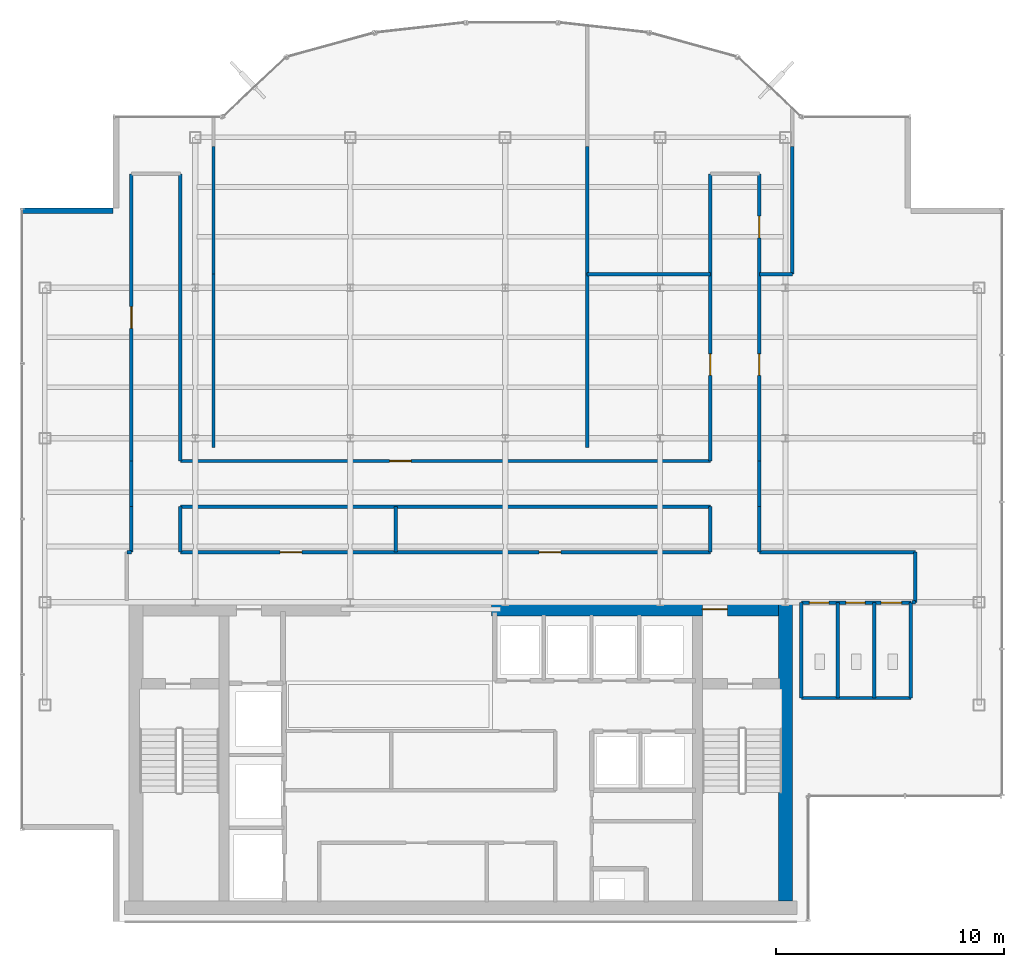
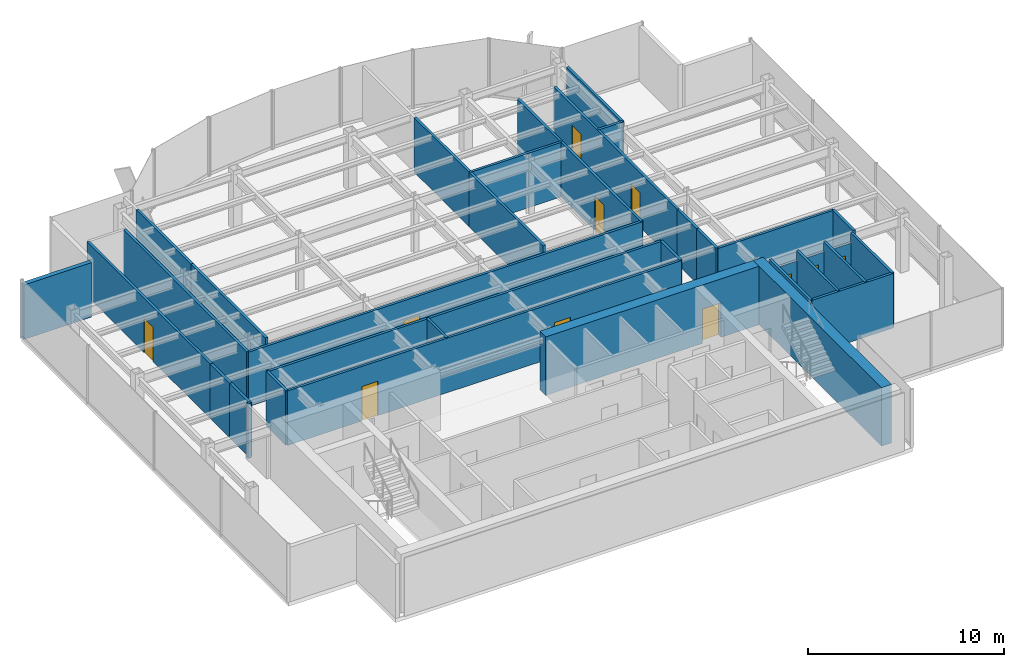
# One storey, part 18 of 22: 34 walls, 11 doors, 11 openings.
"""IFC4 building model written with IfcOpenShell, lengths in metres."""

from ifc_helpers import new_model, si_unit, derived_unit, direction, frame, frame_2d, origin, place, context, subcontext, project, spatial, rectangle, extrude, source, transform, mapped, material, layer, layer_set, type_object, element, fill, save


model = new_model("IFC4")

# Units and contexts
model_context = context("Model", 3, precision=1e-05, world=origin(), true_north=direction((0.0, 1.0)))
body_context = subcontext(model_context, "Body", "Model", "MODEL_VIEW")
ifc_project = project(units=[si_unit("LENGTHUNIT", "METRE"), si_unit("AREAUNIT", "SQUARE_METRE"), si_unit("VOLUMEUNIT", "CUBIC_METRE"), si_unit("PLANEANGLEUNIT", "RADIAN"), si_unit("MASSUNIT", "GRAM", prefix="KILO"), derived_unit("THERMALTRANSMITTANCEUNIT", [(si_unit("POWERUNIT", "WATT"), 1), (si_unit("LENGTHUNIT", "METRE"), -2), (si_unit("THERMODYNAMICTEMPERATUREUNIT", "KELVIN"), -1)])], contexts=[model_context])

# Site, building, storey
site_placement = place(None, origin())
site = spatial("IfcSite", under=ifc_project, at=site_placement, CompositionType="ELEMENT")
building_placement = place(site_placement, origin())
building = spatial("IfcBuilding", under=site, at=building_placement, Name="Skarnbrae Concourse Arena and Tower", CompositionType="ELEMENT")
storey_placement = place(building_placement, frame((0.0, 0.0, 262.449951171875)))
storey = spatial("IfcBuildingStorey", under=building, at=storey_placement, Name="L68", CompositionType="ELEMENT", Elevation=262.449951171875)

# Wall
ifc_material_1 = material(Name="Concrete 50 MPa (C50/60)", Category="concrete")
ifc_layer_1 = layer(ifc_material_1, 0.60009765625)
ifc_layer_set_1 = layer_set([ifc_layer_1], Name="Concrete 50 MPa (C50/60)")
wall_type_1 = type_object("IfcWallType", Name="WALL-CORE-600-C50", PredefinedType="SHEAR", material=ifc_layer_set_1)
shared_shape_1 = source(origin(), body_context, "Body", "SweptSolid", [
    extrude(rectangle(XDim=13.10009765625, YDim=0.60009765625, at=frame_2d((6.550048828125, 0.0))), origin(), (0.0, 0.0, 1.0), 3.650146484375),
])
wall_1_placement = place(storey_placement, frame((33.5, 0.89990234375, 0.0), z_axis=(0.0, 0.0, 1.0), x_axis=(0.0, 1.0, 0.0)))
element("IfcWall", 1, at=wall_1_placement, inside=storey, type_object=wall_type_1, Name="L68 Rear core shear wall CW-E", PredefinedType="SHEAR", context=body_context, shape_type="MappedRepresentation", body=[
    mapped(shared_shape_1, transform((0.0, 0.0, 0.0))),
])

# Wall, opening, door
shared_shape_2 = source(origin(), body_context, "Body", "SweptSolid", [
    extrude(rectangle(XDim=12.599853515625, YDim=0.60009765625, at=frame_2d((6.2998046875, 0.0))), origin(), (0.0, 0.0, 1.0), 3.650146484375),
])
wall_2_placement = place(storey_placement, frame((20.60009765625, 13.699951171875, 0.0), z_axis=(0.0, 0.0, 1.0), x_axis=(1.0, 0.0, 0.0)))
wall_2 = element("IfcWall", 2, at=wall_2_placement, inside=storey, type_object=wall_type_1, Name="L68 Rear core shear wall CW-NE", PredefinedType="SHEAR", context=body_context, shape_type="MappedRepresentation", body=[
    mapped(shared_shape_2, transform((0.0, 0.0, 0.0))),
])
opening_1_placement = place(wall_2_placement, frame((9.25, 0.0, 0.0)))
opening_1 = element("IfcOpeningElement", 3, at=opening_1_placement, cuts=wall_2, Name="Opening DT-03", PredefinedType="OPENING", context=body_context, shape_type="SweptSolid", body=[
    extrude(rectangle(XDim=1.10009765625, YDim=2.14990234375, at=frame_2d((0.550048828125, 1.074951171875))), frame((0.0, 0.31005859375, 0.0), z_axis=(0.0, -1.0, 0.0), x_axis=(1.0, 0.0, 0.0)), (0.0, 0.0, 1.0), 0.6201171875),
])
ifc_material_2 = material(Name="Steel CSA G40.21 350W", Category="steel")
door_type_1 = type_object("IfcDoorType", Name="DOOR-FIRE-1100-90M", OperationType="NOTDEFINED", PredefinedType="DOOR", material=ifc_material_2)
shared_shape_3 = source(origin(), body_context, "Body", "SweptSolid", [
    extrude(rectangle(XDim=1.10009765625, YDim=2.14990234375, at=frame_2d((0.550048828125, 1.074951171875))), frame((0.0, 0.02490234375, 0.0), z_axis=(0.0, -1.0, 0.0), x_axis=(1.0, 0.0, 0.0)), (0.0, 0.0, 1.0), 0.050048828125),
])
door_1_placement = place(opening_1_placement, origin())
door_1 = element("IfcDoor", 4, at=door_1_placement, inside=storey, type_object=door_type_1, Name="D-2051 Stair ST-2 Vestibule Door", OperationType="SINGLE_SWING_LEFT", OverallHeight=2.14990234375, OverallWidth=1.10009765625, PredefinedType="DOOR", context=body_context, shape_type="MappedRepresentation", body=[
    mapped(shared_shape_3, transform((0.0, 0.0, 0.0))),
])
fill(opening_1, door_1)

# Walls
ifc_material_3 = material(Name="Precast concrete 40 MPa (C40/50)", Category="concrete")
ifc_layer_2 = layer(ifc_material_3, 0.25)
ifc_layer_set_2 = layer_set([ifc_layer_2], Name="Precast concrete 40 MPa (C40/50)")
wall_type_2 = type_object("IfcWallType", Name="WALL-EXT-SPANDREL-250", PredefinedType="STANDARD", material=ifc_layer_set_2)
shared_shape_4 = source(origin(), body_context, "Body", "SweptSolid", [
    extrude(rectangle(XDim=4.0, YDim=0.25, at=frame_2d((2.0, 0.0))), origin(), (0.0, 0.0, 1.0), 3.400146484375),
])
wall_3_placement = place(storey_placement, frame((4.0, 31.175048828125, 0.0), z_axis=(0.0, 0.0, 1.0), x_axis=(-1.0, 0.0, 0.0)))
element("IfcWall", 5, at=wall_3_placement, inside=storey, type_object=wall_type_2, Name="L68 Notched corner insulated return wall 17", PredefinedType="STANDARD", context=body_context, shape_type="MappedRepresentation", body=[
    mapped(shared_shape_4, transform((0.0, 0.0, 0.0))),
])
ifc_material_4 = material(Name="Gypsum board on cold-formed steel studs", Category="steel")
ifc_layer_3 = layer(ifc_material_4, 0.14990234375)
ifc_layer_set_3 = layer_set([ifc_layer_3], Name="Gypsum board on cold-formed steel studs")
wall_type_3 = type_object("IfcWallType", Name="WALL-PART-150", PredefinedType="PARTITIONING", material=ifc_layer_set_3)
shared_shape_5 = source(origin(), body_context, "Body", "SweptSolid", [
    extrude(rectangle(XDim=4.800048828125, YDim=0.14990234375, at=frame_2d((2.39990234375, 0.0))), origin(), (0.0, 0.0, 1.0), 3.400146484375),
])
wall_4_placement = place(storey_placement, frame((34.199951171875, 9.800048828125, 0.0), z_axis=(0.0, 0.0, 1.0), x_axis=(1.0, 0.0, 0.0)))
element("IfcWall", 6, at=wall_4_placement, inside=storey, type_object=wall_type_3, Name="L68 Interior partition wall W-L68-WC-S", PredefinedType="PARTITIONING", context=body_context, shape_type="MappedRepresentation", body=[
    mapped(shared_shape_5, transform((0.0, 0.0, 0.0))),
])
shared_shape_6 = source(origin(), body_context, "Body", "SweptSolid", [
    extrude(rectangle(XDim=4.179931640625, YDim=0.14990234375, at=frame_2d((2.08984375, 0.0))), origin(), (0.0, 0.0, 1.0), 3.400146484375),
])
for number, where, z_axis, x_axis, name in (
    (7, (39.0, 9.800048828125, 0.0), (0.0, 0.0, 1.0), (0.0, 1.0, 0.0), "L68 Interior partition wall W-L68-WC-E"),
    (8, (34.199951171875, 9.800048828125, 0.0), (0.0, 0.0, 1.0), (0.0, 1.0, 0.0), "L68 Interior partition wall W-L68-WC-W"),
    (9, (35.800048828125, 9.800048828125, 0.0), (0.0, 0.0, 1.0), (0.0, 1.0, 0.0), "L68 Interior partition wall W-L68-WC-D1"),
    (10, (37.39990234375, 9.800048828125, 0.0), (0.0, 0.0, 1.0), (0.0, 1.0, 0.0), "L68 Interior partition wall W-L68-WC-D2"),
):
    element("IfcWall", number, at=place(storey_placement, frame(where, z_axis=z_axis, x_axis=x_axis)), inside=storey, type_object=wall_type_3, Name=name, PredefinedType="PARTITIONING", context=body_context, shape_type="MappedRepresentation", body=[
        mapped(shared_shape_6, transform((0.0, 0.0, 0.0))),
    ])
ifc_layer_4 = layer(ifc_material_4, 0.14990234375)
ifc_layer_set_4 = layer_set([ifc_layer_4], Name="Gypsum board on cold-formed steel studs")
wall_type_4 = type_object("IfcWallType", Name="WALL-PART-150-1HR", PredefinedType="PARTITIONING", material=ifc_layer_set_4)
shared_shape_7 = source(origin(), body_context, "Body", "SweptSolid", [
    extrude(rectangle(XDim=2.199951171875, YDim=0.14990234375, at=frame_2d((1.10009765625, 0.0))), origin(), (0.0, 0.0, 1.0), 3.400146484375),
])
wall_5_placement = place(storey_placement, frame((39.199951171875, 16.199951171875, 0.0), z_axis=(0.0, 0.0, 1.0), x_axis=(0.0, -1.0, 0.0)))
element("IfcWall", 11, at=wall_5_placement, inside=storey, type_object=wall_type_4, Name="L68 Interior partition wall W-L68-COR-15", PredefinedType="PARTITIONING", context=body_context, shape_type="MappedRepresentation", body=[
    mapped(shared_shape_7, transform((0.0, 0.0, 0.0))),
])
shared_shape_8 = source(origin(), body_context, "Body", "SweptSolid", [
    extrude(rectangle(XDim=5.60009765625, YDim=0.14990234375, at=frame_2d((2.800048828125, 0.0))), origin(), (0.0, 0.0, 1.0), 3.400146484375),
])
for number, where, z_axis, x_axis, name in (
    (12, (8.39990234375, 34.0, 0.0), (0.0, 0.0, 1.0), (0.0, -1.0, 0.0), "L68 Interior partition wall W-L68-DEM-22"),
    (13, (24.800048828125, 34.0, 0.0), (0.0, 0.0, 1.0), (0.0, -1.0, 0.0), "L68 Interior partition wall W-L68-DEM-28"),
    (14, (33.800048828125, 34.0, 0.0), (0.0, 0.0, 1.0), (0.0, -1.0, 0.0), "L68 Interior partition wall W-L68-DEM-30"),
):
    element("IfcWall", number, at=place(storey_placement, frame(where, z_axis=z_axis, x_axis=x_axis)), inside=storey, type_object=wall_type_3, Name=name, PredefinedType="PARTITIONING", context=body_context, shape_type="MappedRepresentation", body=[
        mapped(shared_shape_8, transform((0.0, 0.0, 0.0))),
    ])

# Wall, openings, doors
shared_shape_9 = source(origin(), body_context, "Body", "SweptSolid", [
    extrude(rectangle(XDim=4.800048828125, YDim=0.14990234375, at=frame_2d((2.39990234375, 0.0))), origin(), (0.0, 0.0, 1.0), 2.787109375),
])
wall_6_placement = place(storey_placement, frame((34.199951171875, 13.97998046875, 0.0), z_axis=(0.0, 0.0, 1.0), x_axis=(1.0, 0.0, 0.0)))
wall_6 = element("IfcWall", 15, at=wall_6_placement, inside=storey, type_object=wall_type_3, Name="L68 Interior partition wall W-L68-WC-N", PredefinedType="PARTITIONING", context=body_context, shape_type="MappedRepresentation", body=[
    mapped(shared_shape_9, transform((0.0, 0.0, 0.0))),
])
opening_2_placement = place(wall_6_placement, frame((0.35009765625, 0.0, 0.0)))
opening_2 = element("IfcOpeningElement", 16, at=opening_2_placement, cuts=wall_6, Name="Opening DT-06", PredefinedType="OPENING", context=body_context, shape_type="SweptSolid", body=[
    extrude(rectangle(XDim=0.85009765625, YDim=2.10009765625, at=frame_2d((0.425048828125, 1.050048828125))), frame((0.0, 0.0849609375, 0.0), z_axis=(0.0, -1.0, 0.0), x_axis=(1.0, 0.0, 0.0)), (0.0, 0.0, 1.0), 0.169921875),
])
opening_3_placement = place(wall_6_placement, frame((1.949951171875, 0.0, 0.0)))
opening_3 = element("IfcOpeningElement", 17, at=opening_3_placement, cuts=wall_6, Name="Opening DT-06", PredefinedType="OPENING", context=body_context, shape_type="SweptSolid", body=[
    extrude(rectangle(XDim=0.85009765625, YDim=2.10009765625, at=frame_2d((0.425048828125, 1.050048828125))), frame((0.0, 0.0849609375, 0.0), z_axis=(0.0, -1.0, 0.0), x_axis=(1.0, 0.0, 0.0)), (0.0, 0.0, 1.0), 0.169921875),
])
opening_4_placement = place(wall_6_placement, frame((3.5, 0.0, 0.0)))
opening_4 = element("IfcOpeningElement", 18, at=opening_4_placement, cuts=wall_6, Name="Opening DT-05", PredefinedType="OPENING", context=body_context, shape_type="SweptSolid", body=[
    extrude(rectangle(XDim=0.89990234375, YDim=2.10009765625, at=frame_2d((0.449951171875, 1.050048828125))), frame((0.0, 0.0849609375, 0.0), z_axis=(0.0, -1.0, 0.0), x_axis=(1.0, 0.0, 0.0)), (0.0, 0.0, 1.0), 0.169921875),
])
ifc_material_5 = material(Name="Architectural oak veneer timber leaf", Category="wood")
door_type_2 = type_object("IfcDoorType", Name="DOOR-INT-850", OperationType="NOTDEFINED", PredefinedType="DOOR", material=ifc_material_5)
shared_shape_10 = source(origin(), body_context, "Body", "SweptSolid", [
    extrude(rectangle(XDim=0.85009765625, YDim=2.10009765625, at=frame_2d((0.425048828125, 1.050048828125))), frame((0.0, 0.02490234375, 0.0), z_axis=(0.0, -1.0, 0.0), x_axis=(1.0, 0.0, 0.0)), (0.0, 0.0, 1.0), 0.050048828125),
])
door_2_placement = place(opening_2_placement, frame((0.85009765625, 0.0, 0.0), z_axis=(0.0, 0.0, 1.0), x_axis=(-1.0, 0.0, 0.0)))
door_2 = element("IfcDoor", 19, at=door_2_placement, inside=storey, type_object=door_type_2, Name="D-2067 Male Washroom Door", OperationType="SINGLE_SWING_LEFT", OverallHeight=2.10009765625, OverallWidth=0.85009765625, PredefinedType="DOOR", context=body_context, shape_type="MappedRepresentation", body=[
    mapped(shared_shape_10, transform((0.0, 0.0, 0.0))),
])
fill(opening_2, door_2)
door_3_placement = place(opening_3_placement, frame((0.85009765625, 0.0, 0.0), z_axis=(0.0, 0.0, 1.0), x_axis=(-1.0, 0.0, 0.0)))
door_3 = element("IfcDoor", 20, at=door_3_placement, inside=storey, type_object=door_type_2, Name="D-2068 Female Washroom Door", OperationType="SINGLE_SWING_RIGHT", OverallHeight=2.10009765625, OverallWidth=0.85009765625, PredefinedType="DOOR", context=body_context, shape_type="MappedRepresentation", body=[
    mapped(shared_shape_10, transform((0.0, 0.0, 0.0))),
])
fill(opening_3, door_3)
door_type_3 = type_object("IfcDoorType", Name="DOOR-INT-900", OperationType="NOTDEFINED", PredefinedType="DOOR", material=ifc_material_5)
shared_shape_11 = source(origin(), body_context, "Body", "SweptSolid", [
    extrude(rectangle(XDim=0.89990234375, YDim=2.10009765625, at=frame_2d((0.449951171875, 1.050048828125))), frame((0.0, 0.02490234375, 0.0), z_axis=(0.0, -1.0, 0.0), x_axis=(1.0, 0.0, 0.0)), (0.0, 0.0, 1.0), 0.050048828125),
])
door_4_placement = place(opening_4_placement, frame((0.89990234375, 0.0, 0.0), z_axis=(0.0, 0.0, 1.0), x_axis=(-1.0, 0.0, 0.0)))
door_4 = element("IfcDoor", 21, at=door_4_placement, inside=storey, type_object=door_type_3, Name="D-2069 Accessible WC Door", OperationType="SINGLE_SWING_LEFT", OverallHeight=2.10009765625, OverallWidth=0.89990234375, PredefinedType="DOOR", context=body_context, shape_type="MappedRepresentation", body=[
    mapped(shared_shape_11, transform((0.0, 0.0, 0.0))),
])
fill(opening_4, door_4)

# Walls
shared_shape_12 = source(origin(), body_context, "Body", "SweptSolid", [
    extrude(rectangle(XDim=0.14990234375, YDim=0.14990234375, at=frame_2d((0.074951171875, 0.0))), origin(), (0.0, 0.0, 1.0), 3.400146484375),
])
wall_7_placement = place(storey_placement, frame((39.199951171875, 14.0, 0.0), z_axis=(0.0, 0.0, 1.0), x_axis=(-1.0, 0.0, 0.0)))
element("IfcWall", 22, at=wall_7_placement, inside=storey, type_object=wall_type_4, Name="L68 Interior partition wall W-L68-COR-16", PredefinedType="PARTITIONING", context=body_context, shape_type="MappedRepresentation", body=[
    mapped(shared_shape_12, transform((0.0, 0.0, 0.0))),
])
shared_shape_13 = source(origin(), body_context, "Body", "SweptSolid", [
    extrude(rectangle(XDim=7.599853515625, YDim=0.14990234375, at=frame_2d((3.7998046875, 0.0))), origin(), (0.0, 0.0, 1.0), 3.400146484375),
])
for number, where, z_axis, x_axis, name in (
    (23, (8.39990234375, 28.39990234375, 0.0), (0.0, 0.0, 1.0), (0.0, -1.0, 0.0), "L68 Interior partition wall W-L68-DEM-23"),
    (24, (24.800048828125, 28.39990234375, 0.0), (0.0, 0.0, 1.0), (0.0, -1.0, 0.0), "L68 Interior partition wall W-L68-DEM-25"),
):
    element("IfcWall", number, at=place(storey_placement, frame(where, z_axis=z_axis, x_axis=x_axis)), inside=storey, type_object=wall_type_3, Name=name, PredefinedType="PARTITIONING", context=body_context, shape_type="MappedRepresentation", body=[
        mapped(shared_shape_13, transform((0.0, 0.0, 0.0))),
    ])
shared_shape_14 = source(origin(), body_context, "Body", "SweptSolid", [
    extrude(rectangle(XDim=2.0, YDim=0.14990234375, at=frame_2d((1.0, 0.0))), origin(), (0.0, 0.0, 1.0), 3.400146484375),
])
for number, where, z_axis, x_axis, name in (
    (25, (4.800048828125, 16.199951171875, 0.0), (0.0, 0.0, 1.0), (0.0, 1.0, 0.0), "L68 Interior partition wall W-L68-COR-03"),
    (26, (4.800048828125, 18.199951171875, 0.0), (0.0, 0.0, 1.0), (0.0, 1.0, 0.0), "L68 Interior partition wall W-L68-COR-04"),
    (27, (32.35009765625, 20.199951171875, 0.0), (0.0, 0.0, 1.0), (0.0, -1.0, 0.0), "L68 Interior partition wall W-L68-COR-12"),
    (28, (32.35009765625, 18.199951171875, 0.0), (0.0, 0.0, 1.0), (0.0, -1.0, 0.0), "L68 Interior partition wall W-L68-COR-13"),
    (29, (30.199951171875, 16.199951171875, 0.0), (0.0, 0.0, 1.0), (0.0, 1.0, 0.0), "L68 Interior partition wall W-L68-COR-18"),
    (30, (6.949951171875, 18.199951171875, 0.0), (0.0, 0.0, 1.0), (0.0, -1.0, 0.0), "L68 Interior partition wall W-L68-COR-20"),
):
    element("IfcWall", number, at=place(storey_placement, frame(where, z_axis=z_axis, x_axis=x_axis)), inside=storey, type_object=wall_type_4, Name=name, PredefinedType="PARTITIONING", context=body_context, shape_type="MappedRepresentation", body=[
        mapped(shared_shape_14, transform((0.0, 0.0, 0.0))),
    ])
wall_8_placement = place(storey_placement, frame((16.39990234375, 18.199951171875, 0.0), z_axis=(0.0, 0.0, 1.0), x_axis=(0.0, -1.0, 0.0)))
element("IfcWall", 31, at=wall_8_placement, inside=storey, type_object=wall_type_3, Name="L68 Interior partition wall W-L68-DEM-24", PredefinedType="PARTITIONING", context=body_context, shape_type="MappedRepresentation", body=[
    mapped(shared_shape_14, transform((0.0, 0.0, 0.0))),
])
shared_shape_15 = source(origin(), body_context, "Body", "SweptSolid", [
    extrude(rectangle(XDim=1.449951171875, YDim=0.14990234375, at=frame_2d((0.72509765625, 0.0))), origin(), (0.0, 0.0, 1.0), 3.400146484375),
])
wall_9_placement = place(storey_placement, frame((33.800048828125, 28.39990234375, 0.0), z_axis=(0.0, 0.0, 1.0), x_axis=(-1.0, 0.0, 0.0)))
element("IfcWall", 32, at=wall_9_placement, inside=storey, type_object=wall_type_3, Name="L68 Interior partition wall W-L68-DEM-31", PredefinedType="PARTITIONING", context=body_context, shape_type="MappedRepresentation", body=[
    mapped(shared_shape_15, transform((0.0, 0.0, 0.0))),
])
shared_shape_16 = source(origin(), body_context, "Body", "SweptSolid", [
    extrude(rectangle(XDim=0.199951171875, YDim=0.14990234375, at=frame_2d((0.10009765625, 0.0))), origin(), (0.0, 0.0, 1.0), 3.400146484375),
])
wall_10_placement = place(storey_placement, frame((4.60009765625, 16.199951171875, 0.0), z_axis=(0.0, 0.0, 1.0), x_axis=(1.0, 0.0, 0.0)))
element("IfcWall", 33, at=wall_10_placement, inside=storey, type_object=wall_type_4, Name="L68 Interior partition wall W-L68-COR-02", PredefinedType="PARTITIONING", context=body_context, shape_type="MappedRepresentation", body=[
    mapped(shared_shape_16, transform((0.0, 0.0, 0.0))),
])

# Wall, opening, door
shared_shape_17 = source(origin(), body_context, "Body", "SweptSolid", [
    extrude(rectangle(XDim=12.60009765625, YDim=0.14990234375, at=frame_2d((6.300048828125, 0.0))), origin(), (0.0, 0.0, 1.0), 3.400146484375),
])
wall_11_placement = place(storey_placement, frame((4.800048828125, 20.199951171875, 0.0), z_axis=(0.0, 0.0, 1.0), x_axis=(0.0, 1.0, 0.0)))
wall_11 = element("IfcWall", 34, at=wall_11_placement, inside=storey, type_object=wall_type_4, Name="L68 Interior partition wall W-L68-COR-05", PredefinedType="PARTITIONING", context=body_context, shape_type="MappedRepresentation", body=[
    mapped(shared_shape_17, transform((0.0, 0.0, 0.0))),
])
opening_5_placement = place(wall_11_placement, frame((5.824951171875, 0.0, 0.0)))
opening_5 = element("IfcOpeningElement", 35, at=opening_5_placement, cuts=wall_11, Name="Opening DT-04", PredefinedType="OPENING", context=body_context, shape_type="SweptSolid", body=[
    extrude(rectangle(XDim=0.949951171875, YDim=2.14990234375, at=frame_2d((0.47509765625, 1.074951171875))), frame((0.0, 0.0849609375, 0.0), z_axis=(0.0, -1.0, 0.0), x_axis=(1.0, 0.0, 0.0)), (0.0, 0.0, 1.0), 0.169921875),
])
door_type_4 = type_object("IfcDoorType", Name="DOOR-INT-950-45M", OperationType="NOTDEFINED", PredefinedType="DOOR", material=ifc_material_2)
shared_shape_18 = source(origin(), body_context, "Body", "SweptSolid", [
    extrude(rectangle(XDim=0.949951171875, YDim=2.14990234375, at=frame_2d((0.47509765625, 1.074951171875))), frame((0.0, 0.02490234375, 0.0), z_axis=(0.0, -1.0, 0.0), x_axis=(1.0, 0.0, 0.0)), (0.0, 0.0, 1.0), 0.050048828125),
])
door_5_placement = place(opening_5_placement, origin())
door_5 = element("IfcDoor", 36, at=door_5_placement, inside=storey, type_object=door_type_4, Name="D-2070 L68 Suite Door 01", OperationType="SINGLE_SWING_RIGHT", OverallHeight=2.14990234375, OverallWidth=0.949951171875, PredefinedType="DOOR", context=body_context, shape_type="MappedRepresentation", body=[
    mapped(shared_shape_18, transform((0.0, 0.0, 0.0))),
])
fill(opening_5, door_5)

# Wall
wall_12_placement = place(storey_placement, frame((6.949951171875, 32.800048828125, 0.0), z_axis=(0.0, 0.0, 1.0), x_axis=(0.0, -1.0, 0.0)))
element("IfcWall", 37, at=wall_12_placement, inside=storey, type_object=wall_type_4, Name="L68 Interior partition wall W-L68-COR-07", PredefinedType="PARTITIONING", context=body_context, shape_type="MappedRepresentation", body=[
    mapped(shared_shape_17, transform((0.0, 0.0, 0.0))),
])

# Wall, opening, door
wall_13_placement = place(storey_placement, frame((30.199951171875, 20.199951171875, 0.0), z_axis=(0.0, 0.0, 1.0), x_axis=(0.0, 1.0, 0.0)))
wall_13 = element("IfcWall", 38, at=wall_13_placement, inside=storey, type_object=wall_type_4, Name="L68 Interior partition wall W-L68-COR-09", PredefinedType="PARTITIONING", context=body_context, shape_type="MappedRepresentation", body=[
    mapped(shared_shape_17, transform((0.0, 0.0, 0.0))),
])
opening_6_placement = place(wall_13_placement, frame((3.7548828125, 0.0, 0.0)))
opening_6 = element("IfcOpeningElement", 39, at=opening_6_placement, cuts=wall_13, Name="Opening DT-04", PredefinedType="OPENING", context=body_context, shape_type="SweptSolid", body=[
    extrude(rectangle(XDim=0.949951171875, YDim=2.14990234375, at=frame_2d((0.47509765625, 1.074951171875))), frame((0.0, 0.0849609375, 0.0), z_axis=(0.0, -1.0, 0.0), x_axis=(1.0, 0.0, 0.0)), (0.0, 0.0, 1.0), 0.169921875),
])
door_6_placement = place(opening_6_placement, origin())
door_6 = element("IfcDoor", 40, at=door_6_placement, inside=storey, type_object=door_type_4, Name="D-2074 L68 Suite Door 05", OperationType="SINGLE_SWING_RIGHT", OverallHeight=2.14990234375, OverallWidth=0.949951171875, PredefinedType="DOOR", context=body_context, shape_type="MappedRepresentation", body=[
    mapped(shared_shape_18, transform((0.0, 0.0, 0.0))),
])
fill(opening_6, door_6)

# Wall, openings, doors
wall_14_placement = place(storey_placement, frame((32.35009765625, 32.800048828125, 0.0), z_axis=(0.0, 0.0, 1.0), x_axis=(0.0, -1.0, 0.0)))
wall_14 = element("IfcWall", 41, at=wall_14_placement, inside=storey, type_object=wall_type_4, Name="L68 Interior partition wall W-L68-COR-11", PredefinedType="PARTITIONING", context=body_context, shape_type="MappedRepresentation", body=[
    mapped(shared_shape_17, transform((0.0, 0.0, 0.0))),
])
opening_7_placement = place(wall_14_placement, frame((1.85498046875, 0.0, 0.0)))
opening_7 = element("IfcOpeningElement", 42, at=opening_7_placement, cuts=wall_14, Name="Opening DT-04", PredefinedType="OPENING", context=body_context, shape_type="SweptSolid", body=[
    extrude(rectangle(XDim=0.949951171875, YDim=2.14990234375, at=frame_2d((0.47509765625, 1.074951171875))), frame((0.0, 0.0849609375, 0.0), z_axis=(0.0, -1.0, 0.0), x_axis=(1.0, 0.0, 0.0)), (0.0, 0.0, 1.0), 0.169921875),
])
opening_8_placement = place(wall_14_placement, frame((7.89501953125, 0.0, 0.0)))
opening_8 = element("IfcOpeningElement", 43, at=opening_8_placement, cuts=wall_14, Name="Opening DT-04", PredefinedType="OPENING", context=body_context, shape_type="SweptSolid", body=[
    extrude(rectangle(XDim=0.949951171875, YDim=2.14990234375, at=frame_2d((0.47509765625, 1.074951171875))), frame((0.0, 0.0849609375, 0.0), z_axis=(0.0, -1.0, 0.0), x_axis=(1.0, 0.0, 0.0)), (0.0, 0.0, 1.0), 0.169921875),
])
door_7_placement = place(opening_7_placement, origin())
door_7 = element("IfcDoor", 44, at=door_7_placement, inside=storey, type_object=door_type_4, Name="D-2075 L68 Suite Door 06", OperationType="SINGLE_SWING_LEFT", OverallHeight=2.14990234375, OverallWidth=0.949951171875, PredefinedType="DOOR", context=body_context, shape_type="MappedRepresentation", body=[
    mapped(shared_shape_18, transform((0.0, 0.0, 0.0))),
])
fill(opening_7, door_7)
door_8_placement = place(opening_8_placement, origin())
door_8 = element("IfcDoor", 45, at=door_8_placement, inside=storey, type_object=door_type_4, Name="D-2076 L68 Suite Door 07", OperationType="SINGLE_SWING_RIGHT", OverallHeight=2.14990234375, OverallWidth=0.949951171875, PredefinedType="DOOR", context=body_context, shape_type="MappedRepresentation", body=[
    mapped(shared_shape_18, transform((0.0, 0.0, 0.0))),
])
fill(opening_8, door_8)

# Wall, opening, door
shared_shape_19 = source(origin(), body_context, "Body", "SweptSolid", [
    extrude(rectangle(XDim=23.25, YDim=0.14990234375, at=frame_2d((11.625, 0.0))), origin(), (0.0, 0.0, 1.0), 3.400146484375),
])
wall_15_placement = place(storey_placement, frame((6.949951171875, 20.199951171875, 0.0), z_axis=(0.0, 0.0, 1.0), x_axis=(1.0, 0.0, 0.0)))
wall_15 = element("IfcWall", 46, at=wall_15_placement, inside=storey, type_object=wall_type_4, Name="L68 Interior partition wall W-L68-COR-08", PredefinedType="PARTITIONING", context=body_context, shape_type="MappedRepresentation", body=[
    mapped(shared_shape_19, transform((0.0, 0.0, 0.0))),
])
opening_9_placement = place(wall_15_placement, frame((9.175048828125, 0.0, 0.0)))
opening_9 = element("IfcOpeningElement", 47, at=opening_9_placement, cuts=wall_15, Name="Opening DT-04", PredefinedType="OPENING", context=body_context, shape_type="SweptSolid", body=[
    extrude(rectangle(XDim=0.949951171875, YDim=2.14990234375, at=frame_2d((0.47509765625, 1.074951171875))), frame((0.0, 0.0849609375, 0.0), z_axis=(0.0, -1.0, 0.0), x_axis=(1.0, 0.0, 0.0)), (0.0, 0.0, 1.0), 0.169921875),
])
door_9_placement = place(opening_9_placement, origin())
door_9 = element("IfcDoor", 48, at=door_9_placement, inside=storey, type_object=door_type_4, Name="D-2072 L68 Suite Door 03", OperationType="SINGLE_SWING_RIGHT", OverallHeight=2.14990234375, OverallWidth=0.949951171875, PredefinedType="DOOR", context=body_context, shape_type="MappedRepresentation", body=[
    mapped(shared_shape_18, transform((0.0, 0.0, 0.0))),
])
fill(opening_9, door_9)

# Wall, openings, doors
wall_16_placement = place(storey_placement, frame((6.949951171875, 16.199951171875, 0.0), z_axis=(0.0, 0.0, 1.0), x_axis=(1.0, 0.0, 0.0)))
wall_16 = element("IfcWall", 49, at=wall_16_placement, inside=storey, type_object=wall_type_4, Name="L68 Interior partition wall W-L68-COR-17", PredefinedType="PARTITIONING", context=body_context, shape_type="MappedRepresentation", body=[
    mapped(shared_shape_19, transform((0.0, 0.0, 0.0))),
])
opening_10_placement = place(wall_16_placement, frame((4.3798828125, 0.0, 0.0)))
opening_10 = element("IfcOpeningElement", 50, at=opening_10_placement, cuts=wall_16, Name="Opening DT-04", PredefinedType="OPENING", context=body_context, shape_type="SweptSolid", body=[
    extrude(rectangle(XDim=0.949951171875, YDim=2.14990234375, at=frame_2d((0.47509765625, 1.074951171875))), frame((0.0, 0.0849609375, 0.0), z_axis=(0.0, -1.0, 0.0), x_axis=(1.0, 0.0, 0.0)), (0.0, 0.0, 1.0), 0.169921875),
])
opening_11_placement = place(wall_16_placement, frame((15.7451171875, 0.0, 0.0)))
opening_11 = element("IfcOpeningElement", 51, at=opening_11_placement, cuts=wall_16, Name="Opening DT-04", PredefinedType="OPENING", context=body_context, shape_type="SweptSolid", body=[
    extrude(rectangle(XDim=0.949951171875, YDim=2.14990234375, at=frame_2d((0.47509765625, 1.074951171875))), frame((0.0, 0.0849609375, 0.0), z_axis=(0.0, -1.0, 0.0), x_axis=(1.0, 0.0, 0.0)), (0.0, 0.0, 1.0), 0.169921875),
])
door_10_placement = place(opening_10_placement, origin())
door_10 = element("IfcDoor", 52, at=door_10_placement, inside=storey, type_object=door_type_4, Name="D-2071 L68 Suite Door 02", OperationType="SINGLE_SWING_LEFT", OverallHeight=2.14990234375, OverallWidth=0.949951171875, PredefinedType="DOOR", context=body_context, shape_type="MappedRepresentation", body=[
    mapped(shared_shape_18, transform((0.0, 0.0, 0.0))),
])
fill(opening_10, door_10)
door_11_placement = place(opening_11_placement, origin())
door_11 = element("IfcDoor", 53, at=door_11_placement, inside=storey, type_object=door_type_4, Name="D-2073 L68 Suite Door 04", OperationType="SINGLE_SWING_LEFT", OverallHeight=2.14990234375, OverallWidth=0.949951171875, PredefinedType="DOOR", context=body_context, shape_type="MappedRepresentation", body=[
    mapped(shared_shape_18, transform((0.0, 0.0, 0.0))),
])
fill(opening_11, door_11)

# Walls
wall_17_placement = place(storey_placement, frame((30.199951171875, 18.199951171875, 0.0), z_axis=(0.0, 0.0, 1.0), x_axis=(-1.0, 0.0, 0.0)))
element("IfcWall", 54, at=wall_17_placement, inside=storey, type_object=wall_type_4, Name="L68 Interior partition wall W-L68-COR-19", PredefinedType="PARTITIONING", context=body_context, shape_type="MappedRepresentation", body=[
    mapped(shared_shape_19, transform((0.0, 0.0, 0.0))),
])
shared_shape_20 = source(origin(), body_context, "Body", "SweptSolid", [
    extrude(rectangle(XDim=6.849853515625, YDim=0.14990234375, at=frame_2d((3.4248046875, 0.0))), origin(), (0.0, 0.0, 1.0), 3.400146484375),
])
wall_18_placement = place(storey_placement, frame((32.35009765625, 16.199951171875, 0.0), z_axis=(0.0, 0.0, 1.0), x_axis=(1.0, 0.0, 0.0)))
element("IfcWall", 55, at=wall_18_placement, inside=storey, type_object=wall_type_4, Name="L68 Interior partition wall W-L68-COR-14", PredefinedType="PARTITIONING", context=body_context, shape_type="MappedRepresentation", body=[
    mapped(shared_shape_20, transform((0.0, 0.0, 0.0))),
])
shared_shape_21 = source(origin(), body_context, "Body", "SweptSolid", [
    extrude(rectangle(XDim=5.39990234375, YDim=0.14990234375, at=frame_2d((2.699951171875, 0.0))), origin(), (0.0, 0.0, 1.0), 3.400146484375),
])
wall_19_placement = place(storey_placement, frame((24.800048828125, 28.39990234375, 0.0), z_axis=(0.0, 0.0, 1.0), x_axis=(1.0, 0.0, 0.0)))
element("IfcWall", 56, at=wall_19_placement, inside=storey, type_object=wall_type_3, Name="L68 Interior partition wall W-L68-DEM-26", PredefinedType="PARTITIONING", context=body_context, shape_type="MappedRepresentation", body=[
    mapped(shared_shape_21, transform((0.0, 0.0, 0.0))),
])

save(model, "model.ifc")
